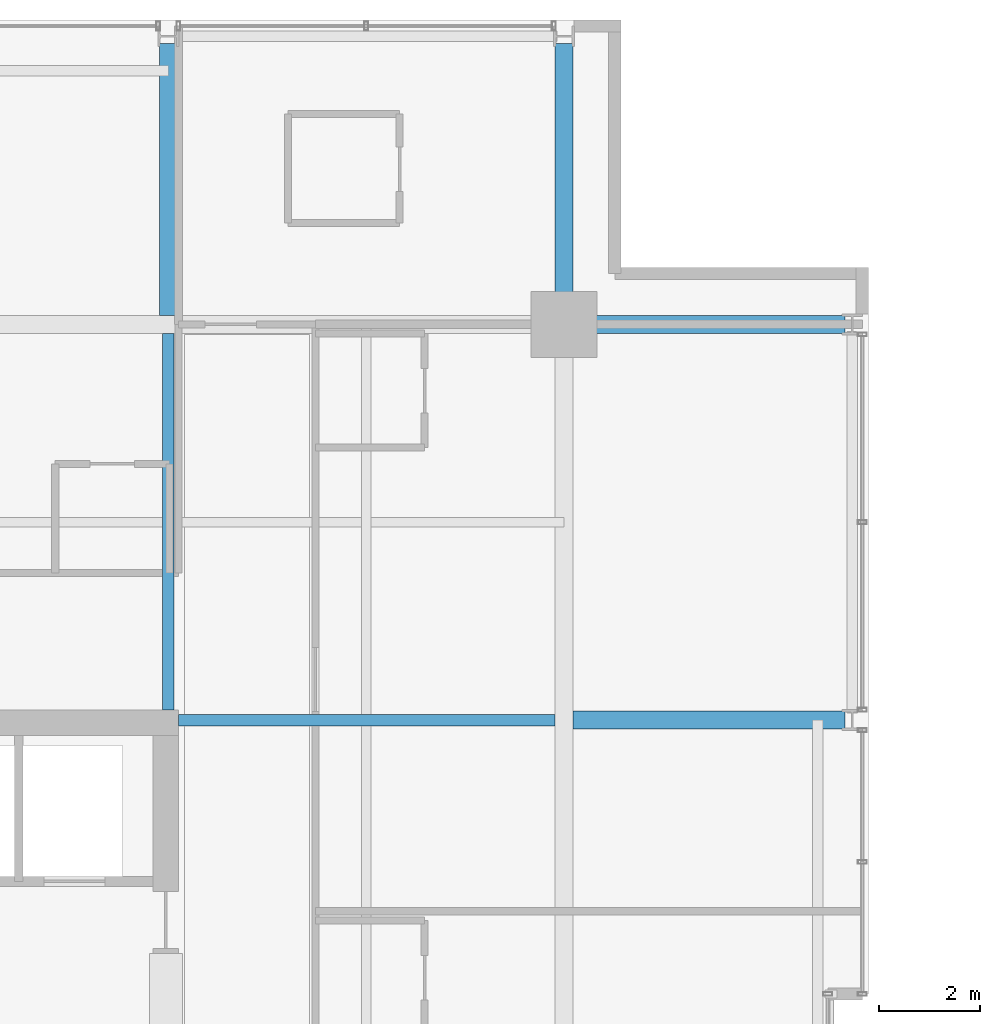
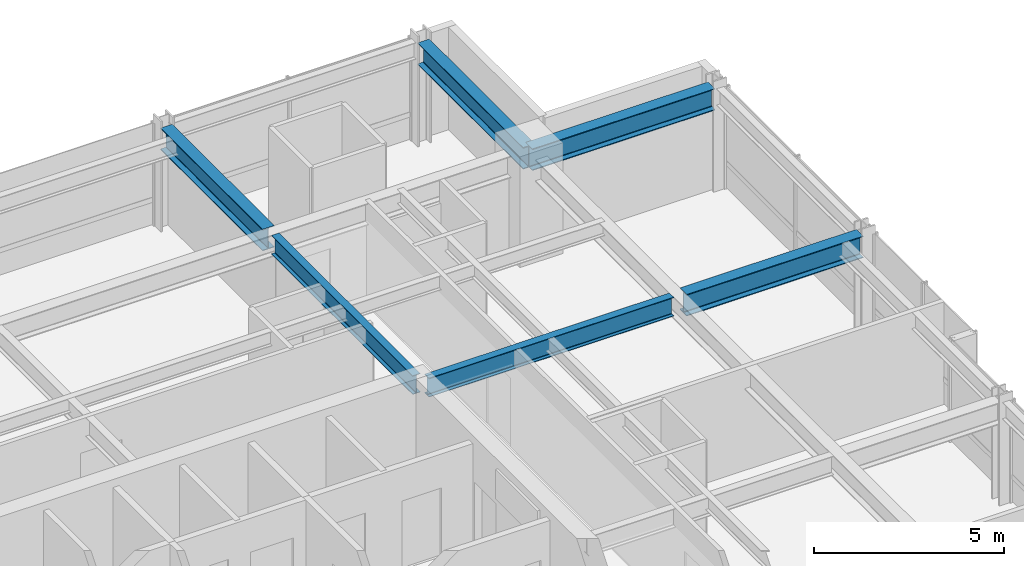
# One storey, part 23 of 33: 6 beams.
"""IFC4 building model written with IfcOpenShell, lengths in metres."""

from ifc_helpers import new_model, si_unit, direction, frame, origin, origin_2d, place, context, subcontext, project, spatial, i_section, extrude, material, material_profile, profile_set, type_object, element, save


model = new_model("IFC4")

# Units and contexts
model_context = context("Model", 3, precision=1e-05, world=origin(), true_north=direction((0.0, 1.0)))
body_context = subcontext(model_context, "Body", "Model", "MODEL_VIEW")
ifc_project = project(units=[si_unit("LENGTHUNIT", "METRE"), si_unit("AREAUNIT", "SQUARE_METRE"), si_unit("VOLUMEUNIT", "CUBIC_METRE"), si_unit("PLANEANGLEUNIT", "RADIAN"), si_unit("MASSUNIT", "GRAM", prefix="KILO")], contexts=[model_context])

# Site, building, storey
site_placement = place(None, origin())
site = spatial("IfcSite", under=ifc_project, at=site_placement, CompositionType="ELEMENT")
building_placement = place(site_placement, origin())
building = spatial("IfcBuilding", under=site, at=building_placement, Name="Drelvath Grand Hotel", CompositionType="ELEMENT")
storey_placement = place(building_placement, frame((0.0, 0.0, 161.050048828125)))
storey = spatial("IfcBuildingStorey", under=building, at=storey_placement, Name="L41", CompositionType="ELEMENT", Elevation=161.050048828125)

# Beams
ifc_material = material(Name="Steel ASTM A992 Gr 50", Category="steel")
ifc_material_profile_1 = material_profile(ifc_material, i_section(OverallWidth=0.228271484375, OverallDepth=0.607666015625, WebThickness=0.01123046875, FlangeThickness=0.017333984375, FilletRadius=0.02001953125, at=origin_2d()), Name="W24X76")
ifc_profile_set_1 = profile_set([ifc_material_profile_1], Name="Steel ASTM A992 Gr 50")
beam_type_1 = type_object("IfcBeamType", Name="Primary Floor Girder W24X76", PredefinedType="BEAM", material=ifc_profile_set_1)
for number, where, z_axis, x_axis, name in (
    (1, (8.60009765625, 35.39990234375, 2.986083984375), (1.0, 0.0, 0.0), (0.0, 1.0, 0.0), "L41 East Core Tie F"),
    (2, (8.39990234375, 35.60009765625, 2.986083984375), (0.0, 1.0, 0.0), (-1.0, 0.0, 0.0), "L41 North Core Tie 6"),
):
    element("IfcBeam", number, at=place(storey_placement, frame(where, z_axis=z_axis, x_axis=x_axis)), inside=storey, type_object=beam_type_1, Name=name, PredefinedType="BEAM", context=body_context, shape_type="SweptSolid", body=[
        extrude(i_section(OverallWidth=0.228271484375, OverallDepth=0.607666015625, WebThickness=0.01123046875, FlangeThickness=0.017333984375, FilletRadius=0.02001953125, at=origin_2d()), origin(), (0.0, 0.0, 1.0), 7.422607421875),
    ])
ifc_material_profile_2 = material_profile(ifc_material, i_section(OverallWidth=0.354736328125, OverallDepth=0.695556640625, WebThickness=0.015380859375, FlangeThickness=0.025146484375, FilletRadius=0.02392578125, at=origin_2d()), Name="W27X146")
ifc_profile_set_2 = profile_set([ifc_material_profile_2], Name="Steel ASTM A992 Gr 50")
beam_type_2 = type_object("IfcBeamType", Name="Primary Floor Girder W27X146", PredefinedType="BEAM", material=ifc_profile_set_2)
beam_1_placement = place(storey_placement, frame((16.199951171875, 43.199951171875, 2.942138671875), z_axis=(1.0, 0.0, 0.0), x_axis=(0.0, 1.0, 0.0)))
element("IfcBeam", 3, at=beam_1_placement, inside=storey, type_object=beam_type_2, Name="L41 East Grid Girder G", PredefinedType="BEAM", context=body_context, shape_type="SweptSolid", body=[
    extrude(i_section(OverallWidth=0.354736328125, OverallDepth=0.695556640625, WebThickness=0.015380859375, FlangeThickness=0.025146484375, FilletRadius=0.02392578125, at=origin_2d()), origin(), (0.0, 0.0, 1.0), 5.5400390625),
])
beam_2_placement = place(storey_placement, frame((16.37744140625, 35.39990234375, 2.942138671875), z_axis=(1.0, 0.0, 0.0), x_axis=(0.0, 1.0, 0.0)))
element("IfcBeam", 4, at=beam_2_placement, inside=storey, type_object=beam_type_2, Name="L41 East Wing Girder F", PredefinedType="BEAM", context=body_context, shape_type="SweptSolid", body=[
    extrude(i_section(OverallWidth=0.354736328125, OverallDepth=0.695556640625, WebThickness=0.015380859375, FlangeThickness=0.025146484375, FilletRadius=0.02392578125, at=origin_2d()), origin(), (0.0, 0.0, 1.0), 5.362548828125),
])
beam_3_placement = place(storey_placement, frame((16.199951171875, 43.199951171875, 2.942138671875), z_axis=(0.0, 1.0, 0.0), x_axis=(-1.0, 0.0, 0.0)))
element("IfcBeam", 5, at=beam_3_placement, inside=storey, type_object=beam_type_2, Name="L41 North Grid Girder 7", PredefinedType="BEAM", context=body_context, shape_type="SweptSolid", body=[
    extrude(i_section(OverallWidth=0.354736328125, OverallDepth=0.695556640625, WebThickness=0.015380859375, FlangeThickness=0.025146484375, FilletRadius=0.02392578125, at=origin_2d()), origin(), (0.0, 0.0, 1.0), 5.5400390625),
])
beam_4_placement = place(storey_placement, frame((8.39990234375, 43.37744140625, 2.942138671875), z_axis=(0.0, 1.0, 0.0), x_axis=(-1.0, 0.0, 0.0)))
element("IfcBeam", 6, at=beam_4_placement, inside=storey, type_object=beam_type_2, Name="L41 North Wing Girder 6", PredefinedType="BEAM", context=body_context, shape_type="SweptSolid", body=[
    extrude(i_section(OverallWidth=0.354736328125, OverallDepth=0.695556640625, WebThickness=0.015380859375, FlangeThickness=0.025146484375, FilletRadius=0.02392578125, at=origin_2d()), origin(), (0.0, 0.0, 1.0), 5.362548828125),
])

save(model, "model.ifc")
